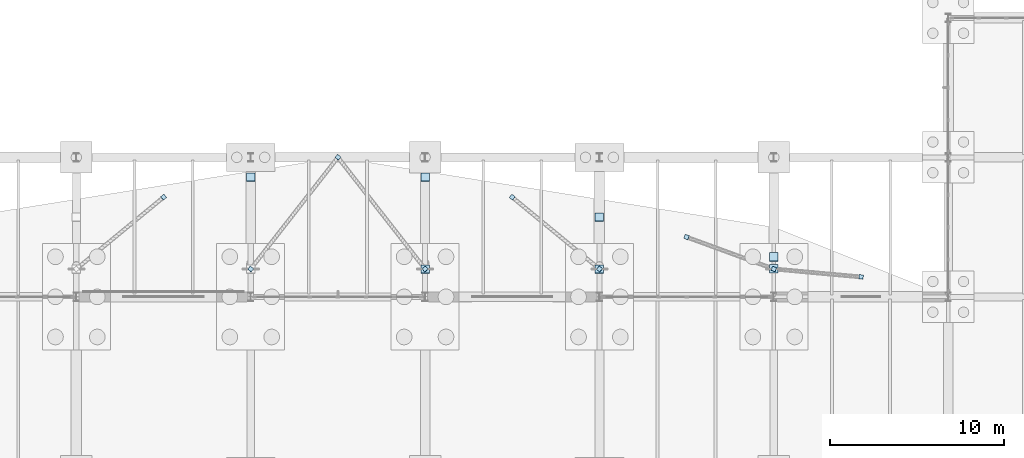
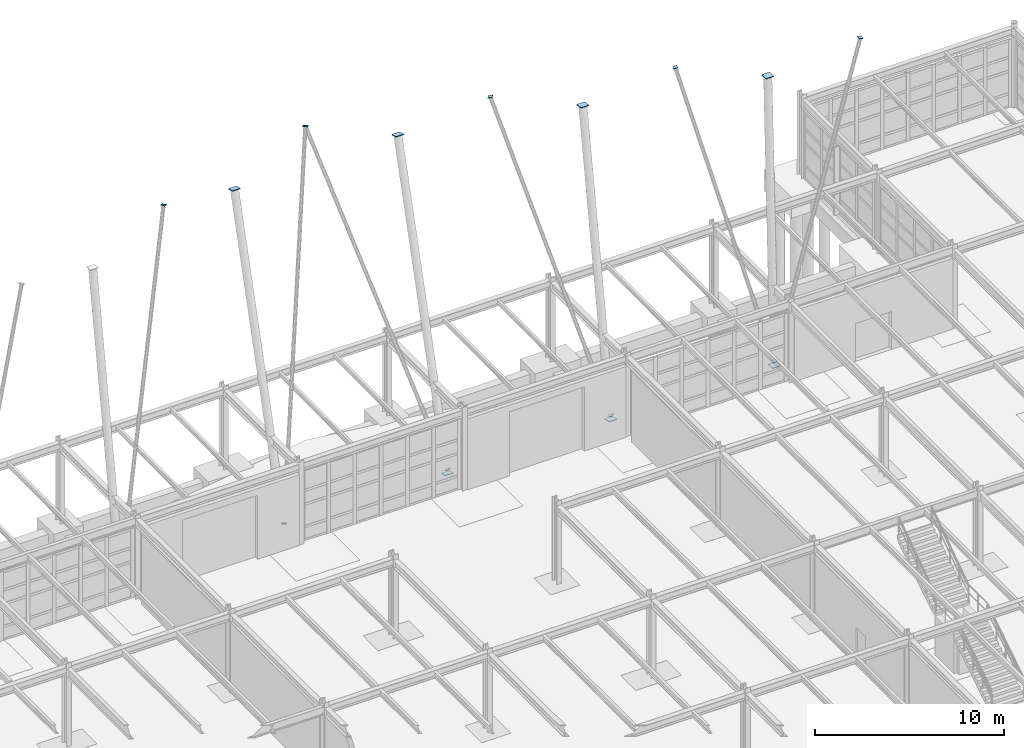
# One storey, part 113 of 145: 16 plates.
"""IFC4 building model written with IfcOpenShell, lengths in metres."""

from ifc_helpers import new_model, si_unit, direction, frame, origin, origin_2d, place, context, subcontext, project, spatial, rectangle, extrude, material, layer, layer_set, type_object, element, save


model = new_model("IFC4")

# Units and contexts
model_context = context("Model", 3, precision=1e-05, world=origin(), true_north=direction((0.0, 1.0)))
body_context = subcontext(model_context, "Body", "Model", "MODEL_VIEW")
ifc_project = project(units=[si_unit("LENGTHUNIT", "METRE"), si_unit("AREAUNIT", "SQUARE_METRE"), si_unit("VOLUMEUNIT", "CUBIC_METRE"), si_unit("PLANEANGLEUNIT", "RADIAN"), si_unit("MASSUNIT", "GRAM", prefix="KILO"), si_unit("THERMODYNAMICTEMPERATUREUNIT", "KELVIN"), si_unit("POWERUNIT", "WATT")], contexts=[model_context])

# Site, building, storey
site_placement = place(None, origin())
site = spatial("IfcSite", under=ifc_project, at=site_placement, CompositionType="ELEMENT")
building_placement = place(site_placement, origin())
building = spatial("IfcBuilding", under=site, at=building_placement, Name="Korenveer Ferry Terminal", CompositionType="ELEMENT")
storey_placement = place(building_placement, origin())
storey = spatial("IfcBuildingStorey", under=building, at=storey_placement, Name="L00", CompositionType="ELEMENT", Elevation=0.0)

# Plates
ifc_material = material(Name="Steel S355", Category="steel")
ifc_layer_1 = layer(ifc_material, 0.031982421875)
ifc_layer_set_1 = layer_set([ifc_layer_1], Name="Steel S355")
plate_type_1 = type_object("IfcPlateType", Name="STR-PLT-CAP32", PredefinedType="USERDEFINED", material=ifc_layer_set_1)
for number, where, z_axis, x_axis, name in (
    (1, (78.0, 105.71435546875, 20.0908203125), (0.239570557089, 0.197132344073, 0.950654925352), (-0.635397872872, 0.772184915127, 0.0), "Hollow section end cap 197"),
    (2, (82.99267578125, 101.590576171875, 0.22021484375), (0.231150653141, 0.29587283618, 0.926837979565), (-0.788024373886, 0.615644041766, 0.0), "Hollow section end cap 198"),
    (3, (88.0, 108.0, 20.29833984375), (0.231150653141, 0.29587283618, 0.926837979565), (-0.788024373886, 0.615644041766, 0.0), "Hollow section end cap 199"),
    (4, (93.00732421875, 101.590576171875, 0.22021484375), (-0.231150653141, 0.29587283618, 0.926837979565), (-0.788024373886, -0.615644041766, 0.0), "Hollow section end cap 200"),
    (5, (103.0078125, 101.59375, 0.2197265625), (-0.239570557089, 0.197132344073, 0.950654925352), (-0.635397872872, -0.772184915127, 0.0), "Hollow section end cap 201"),
    (6, (98.0, 105.71435546875, 20.0908203125), (-0.239570557089, 0.197132344073, 0.950654925352), (-0.635397872872, -0.772184915127, 0.0), "Hollow section end cap 202"),
    (7, (113.0078125, 101.59716796875, 0.21923828125), (-0.245793274884, 0.089890111958, 0.965145291546), (-0.3434660864, -0.939165080001, 0.0), "Hollow section end cap 203"),
    (8, (108.0, 103.428466796875, 19.88330078125), (-0.245793274884, 0.089890111958, 0.965145291546), (-0.3434660864, -0.939165080001, 0.0), "Hollow section end cap 204"),
    (9, (118.0, 101.142822265625, 19.67578125), (0.249201318125, -0.022784121011, 0.968183653485), (0.091048818467, 0.995846430257, 0.0), "Hollow section end cap 205"),
):
    element("IfcPlate", number, at=place(storey_placement, frame(where, z_axis=z_axis, x_axis=x_axis)), inside=storey, type_object=plate_type_1, Name=name, ObjectType="END CAP PLATE", PredefinedType="USERDEFINED", context=body_context, shape_type="SweptSolid", body=[
        extrude(rectangle(XDim=0.2490234375, YDim=0.2490234375, at=origin_2d()), origin(), (0.0, 0.0, 1.0), 0.031982421875),
    ])
ifc_layer_2 = layer(ifc_material, 0.0419921875)
ifc_layer_set_2 = layer_set([ifc_layer_2], Name="Steel S355")
plate_type_2 = type_object("IfcPlateType", Name="STR-PLT-CAP42", PredefinedType="USERDEFINED", material=ifc_layer_set_2)
for number, where, z_axis, x_axis, name in (
    (10, (83.0, 106.857177734375, 18.684814453125), (0.0, 0.270842120049, 0.962623782174), (-1.0, 0.0, 0.0), "Hollow section end cap 154"),
    (11, (93.0, 101.588623046875, -0.04052734375), (0.0, 0.270842120049, 0.962623782174), (-1.0, 0.0, 0.0), "Hollow section end cap 155"),
    (12, (93.0, 106.857177734375, 18.684814453125), (0.0, 0.270842120049, 0.962623782174), (-1.0, 0.0, 0.0), "Hollow section end cap 156"),
    (13, (103.0, 101.59326171875, -0.04150390625), (0.0, 0.158774828991, 0.987314819943), (-1.0, 0.0, 0.0), "Hollow section end cap 157"),
    (14, (103.0, 104.5712890625, 18.477294921875), (0.0, 0.158774828991, 0.987314819943), (-1.0, 0.0, 0.0), "Hollow section end cap 158"),
    (15, (113.0, 101.598388671875, -0.0419921875), (0.0, 0.037506270012, 0.999296392323), (-1.0, 0.0, 0.0), "Hollow section end cap 159"),
    (16, (113.0, 102.285888671875, 18.269775390625), (0.0, 0.037506270012, 0.999296392323), (-1.0, 0.0, 0.0), "Hollow section end cap 160"),
):
    element("IfcPlate", number, at=place(storey_placement, frame(where, z_axis=z_axis, x_axis=x_axis)), inside=storey, type_object=plate_type_2, Name=name, ObjectType="END CAP PLATE", PredefinedType="USERDEFINED", context=body_context, shape_type="SweptSolid", body=[
        extrude(rectangle(XDim=0.487060546875, YDim=0.487060546875, at=origin_2d()), origin(), (0.0, 0.0, 1.0), 0.0419921875),
    ])

save(model, "model.ifc")
